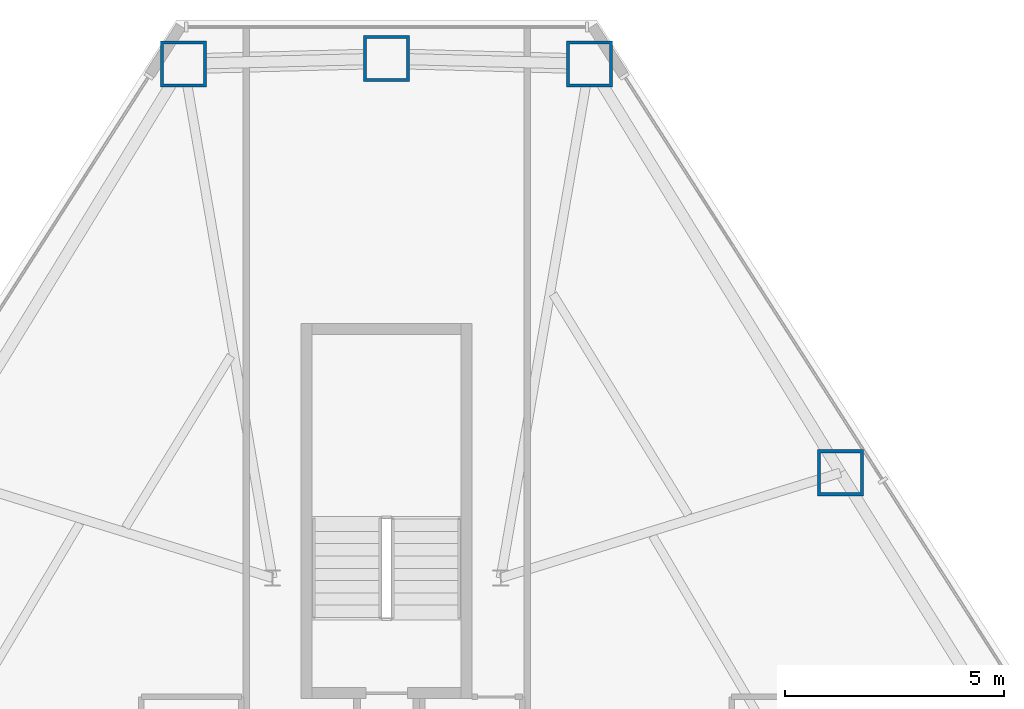
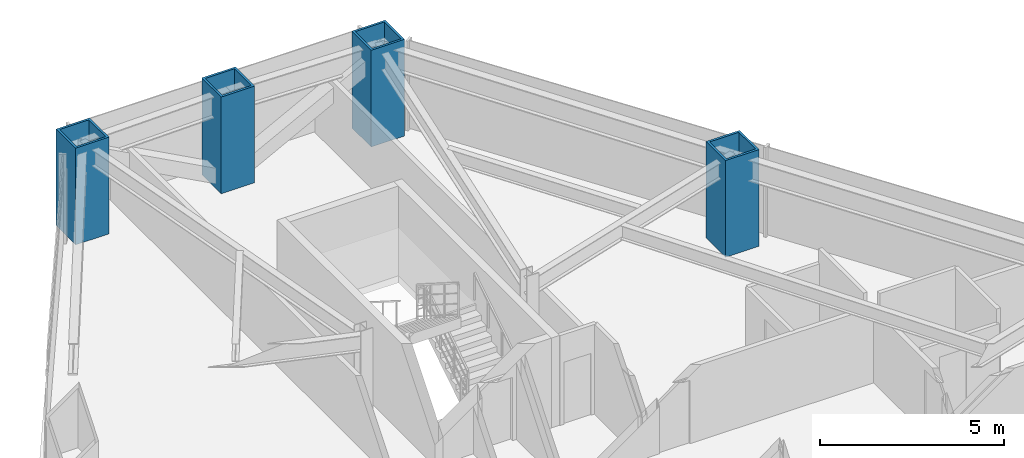
# One storey, part 3 of 13: 4 columns.
"""IFC4 building model written with IfcOpenShell, lengths in metres."""

from ifc_helpers import new_model, si_unit, direction, frame, origin, origin_2d, place, context, subcontext, project, spatial, hollow_rectangle, extrude, material, material_profile, profile_set, type_object, element, save


model = new_model("IFC4")

# Units and contexts
model_context = context("Model", 3, precision=1e-05, world=origin(), true_north=direction((0.0, 1.0)))
body_context = subcontext(model_context, "Body", "Model", "MODEL_VIEW")
ifc_project = project(units=[si_unit("LENGTHUNIT", "METRE"), si_unit("AREAUNIT", "SQUARE_METRE"), si_unit("VOLUMEUNIT", "CUBIC_METRE"), si_unit("PLANEANGLEUNIT", "RADIAN"), si_unit("MASSUNIT", "GRAM", prefix="KILO")], contexts=[model_context])

# Site, building, storey
site_placement = place(None, origin())
site = spatial("IfcSite", under=ifc_project, at=site_placement, CompositionType="ELEMENT")
building_placement = place(site_placement, origin())
building = spatial("IfcBuilding", under=site, at=building_placement, Name="Varakhsha Concourse Tower", CompositionType="ELEMENT")
storey_placement = place(building_placement, frame((0.0, 0.0, 83.0)))
storey = spatial("IfcBuildingStorey", under=building, at=storey_placement, Name="L23", CompositionType="ELEMENT", Elevation=83.0)

# Columns
ifc_material = material(Name="Structural Steel ASTM A572 Grade 50", Category="steel")
ifc_material_profile = material_profile(ifc_material, hollow_rectangle(XDim=1.050048828125, YDim=1.050048828125, WallThickness=0.070068359375, at=origin_2d()), Name="BOX 1050x1050x70")
ifc_profile_set = profile_set([ifc_material_profile], Name="Structural Steel ASTM A572 Grade 50")
column_type = type_object("IfcColumnType", Name="CL-TUBE-1050", PredefinedType="COLUMN", material=ifc_profile_set)
for number, where, z_axis, x_axis, name in (
    (1, (44.624755859375, 52.911865234375, 0.0), (0.0, 0.0, 1.0), (1.0, 0.0, 0.0), "L23 Framed-Tube Column TC01"),
    (2, (40.0, 53.031005859375, 0.0), (0.0, 0.0, 1.0), (1.0, 0.0, 0.0), "L23 Framed-Tube Column TC02"),
    (3, (35.375244140625, 52.911865234375, 0.0), (0.0, 0.0, 1.0), (1.0, 0.0, 0.0), "L23 Framed-Tube Column TC03"),
    (4, (50.337890625, 43.596435546875, 0.0), (0.0, 0.0, 1.0), (1.0, 0.0, 0.0), "L23 Framed-Tube Column TC18"),
):
    element("IfcColumn", number, at=place(storey_placement, frame(where, z_axis=z_axis, x_axis=x_axis)), inside=storey, type_object=column_type, Name=name, PredefinedType="COLUMN", context=body_context, shape_type="SweptSolid", body=[
        extrude(hollow_rectangle(XDim=1.050048828125, YDim=1.050048828125, WallThickness=0.070068359375, at=origin_2d()), origin(), (0.0, 0.0, 1.0), 3.199951171875),
    ])

save(model, "model.ifc")
